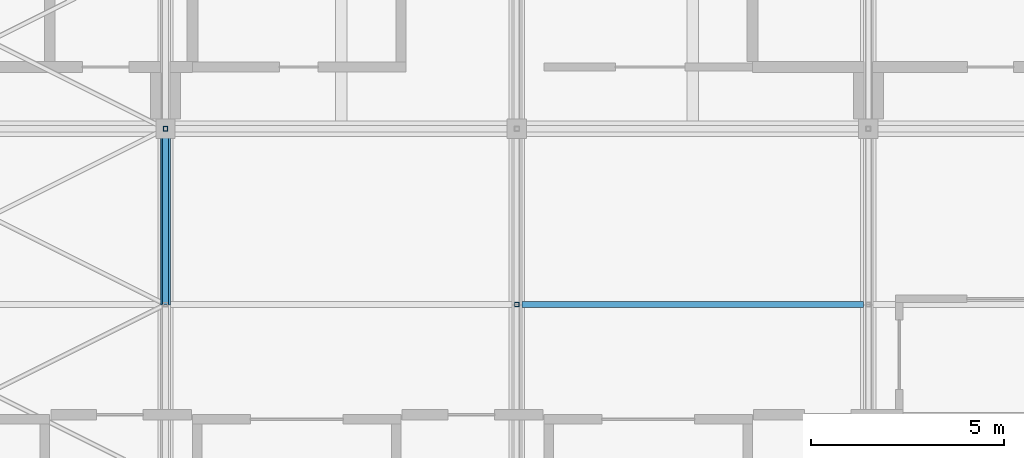
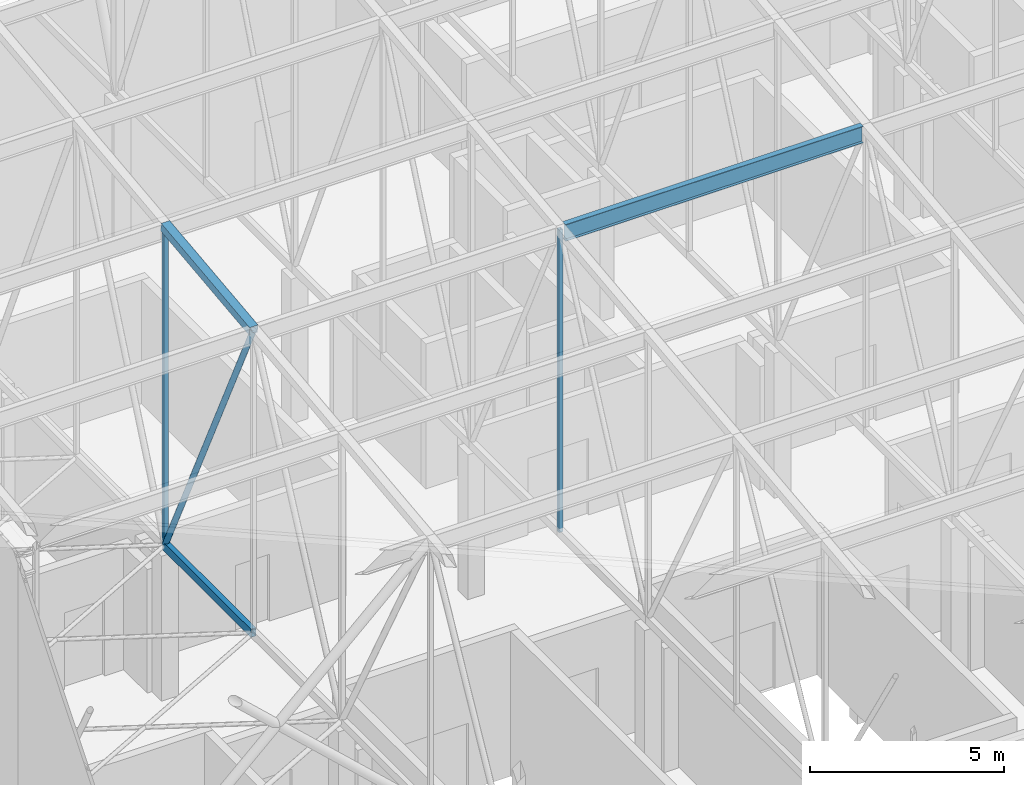
# One storey, part 21 of 500: 6 members.
"""IFC4 building model written with IfcOpenShell, lengths in metres."""

from ifc_helpers import new_model, si_unit, direction, frame, origin, origin_2d, place, context, subcontext, project, spatial, hollow_rectangle, hollow_circle, i_section, extrude, material, material_profile, profile_set, type_object, element, save


model = new_model("IFC4")

# Units and contexts
model_context = context("Model", 3, precision=1e-05, world=origin(), true_north=direction((0.0, 1.0)))
body_context = subcontext(model_context, "Body", "Model", "MODEL_VIEW")
ifc_project = project(units=[si_unit("LENGTHUNIT", "METRE"), si_unit("AREAUNIT", "SQUARE_METRE"), si_unit("VOLUMEUNIT", "CUBIC_METRE"), si_unit("PLANEANGLEUNIT", "RADIAN"), si_unit("MASSUNIT", "GRAM", prefix="KILO")], contexts=[model_context])

# Site, building, storey
site_placement = place(None, origin())
site = spatial("IfcSite", under=ifc_project, at=site_placement, CompositionType="ELEMENT")
building_placement = place(site_placement, origin())
building = spatial("IfcBuilding", under=site, at=building_placement, Name="Shirokan Park Arena", CompositionType="ELEMENT")
storey_placement = place(building_placement, frame((0.0, 0.0, 29.1201171875)))
storey = spatial("IfcBuildingStorey", under=building, at=storey_placement, Name="L06", CompositionType="ELEMENT", Elevation=29.1201171875)

# Members
ifc_material_1 = material(Name="Steel ASTM A500 Grade C", Category="steel")
ifc_material_profile_1 = material_profile(ifc_material_1, hollow_rectangle(XDim=0.152099609375, YDim=0.25390625, WallThickness=0.009521484375, at=origin_2d()), Name="HSS254X152.4X9.5")
ifc_profile_set_1 = profile_set([ifc_material_profile_1], Name="Steel ASTM A500 Grade C")
member_type_1 = type_object("IfcMemberType", Name="Bottom chord HSS254X152.4X9.5", PredefinedType="CHORD", material=ifc_profile_set_1)
member_1_placement = place(storey_placement, frame((9.10009765625, 13.64990234375, 4.677001953125), z_axis=(0.0, 1.0, 0.0), x_axis=(-1.0, 0.0, 0.0)))
element("IfcMember", 1, at=member_1_placement, inside=storey, type_object=member_type_1, Name="Truss T02 bottom chord 6", PredefinedType="CHORD", context=body_context, shape_type="SweptSolid", body=[
    extrude(hollow_rectangle(XDim=0.152099609375, YDim=0.25390625, WallThickness=0.009521484375, at=origin_2d()), origin(), (0.0, 0.0, 1.0), 4.550048828125),
])
ifc_material_2 = material(Name="Steel ASTM A992", Category="steel")
ifc_material_profile_2 = material_profile(ifc_material_2, i_section(OverallWidth=0.166015625, OverallDepth=0.528076171875, WebThickness=0.009765625, FlangeThickness=0.013671875, at=origin_2d()), Name="W530X74")
ifc_profile_set_2 = profile_set([ifc_material_profile_2], Name="Steel ASTM A992")
member_type_2 = type_object("IfcMemberType", Name="Purlin W530X74", PredefinedType="PURLIN", material=ifc_profile_set_2)
member_2_placement = place(storey_placement, frame((18.326904296875, 13.64990234375, 14.0458984375), z_axis=(1.0, 0.0, 0.0), x_axis=(0.0, 1.0, 0.0)))
element("IfcMember", 2, at=member_2_placement, inside=storey, type_object=member_type_2, Name="Purlin 6 bay 3", PredefinedType="PURLIN", context=body_context, shape_type="SweptSolid", body=[
    extrude(i_section(OverallWidth=0.166015625, OverallDepth=0.528076171875, WebThickness=0.009765625, FlangeThickness=0.013671875, at=origin_2d()), origin(), (0.0, 0.0, 1.0), 8.84619140625),
])
ifc_material_profile_3 = material_profile(ifc_material_1, hollow_rectangle(XDim=0.25390625, YDim=0.25390625, WallThickness=0.009521484375, at=origin_2d()), Name="HSS254X254X9.5")
ifc_profile_set_3 = profile_set([ifc_material_profile_3], Name="Steel ASTM A500 Grade C")
member_type_3 = type_object("IfcMemberType", Name="Top chord HSS254X254X9.5", PredefinedType="CHORD", material=ifc_profile_set_3)
member_3_placement = place(storey_placement, frame((9.10009765625, 13.64990234375, 14.182861328125), z_axis=(0.0, 0.993532328996, 0.113549598152), x_axis=(-1.0, 0.0, 0.0)))
element("IfcMember", 3, at=member_3_placement, inside=storey, type_object=member_type_3, Name="Truss T02 top chord 6", PredefinedType="CHORD", context=body_context, shape_type="SweptSolid", body=[
    extrude(hollow_rectangle(XDim=0.25390625, YDim=0.25390625, WallThickness=0.009521484375, at=origin_2d()), origin(), (0.0, 0.0, 1.0), 4.57958984375),
])
ifc_material_profile_4 = material_profile(ifc_material_1, hollow_circle(Radius=0.083984375, WallThickness=0.009521484375, at=origin_2d()), Name="HSS168.3X9.5")
ifc_profile_set_4 = profile_set([ifc_material_profile_4], Name="Steel ASTM A500 Grade C")
member_type_4 = type_object("IfcMemberType", Name="Truss diagonal HSS168.3X9.5", PredefinedType="BRACE", material=ifc_profile_set_4)
member_4_placement = place(storey_placement, frame((9.10009765625, 13.64990234375, 14.182861328125), z_axis=(0.0, 0.431746476626, -0.901994999942), x_axis=(-1.0, 0.0, 0.0)))
element("IfcMember", 4, at=member_4_placement, inside=storey, type_object=member_type_4, Name="Truss T02 diagonal 6", PredefinedType="BRACE", context=body_context, shape_type="SweptSolid", body=[
    extrude(hollow_circle(Radius=0.083984375, WallThickness=0.009521484375, at=origin_2d()), origin(), (0.0, 0.0, 1.0), 10.538818359375),
])
ifc_material_profile_5 = material_profile(ifc_material_1, hollow_rectangle(XDim=0.114013671875, YDim=0.114013671875, WallThickness=0.00634765625, at=origin_2d()), Name="HSS114.3X114.3X6.4")
ifc_profile_set_5 = profile_set([ifc_material_profile_5], Name="Steel ASTM A500 Grade C")
member_type_5 = type_object("IfcMemberType", Name="Truss post HSS114.3X114.3X6.4", PredefinedType="POST", material=ifc_profile_set_5)
member_5_placement = place(storey_placement, frame((18.199951171875, 13.64990234375, 4.677001953125), z_axis=(0.0, 0.0, 1.0), x_axis=(1.0, 0.0, 0.0)))
element("IfcMember", 5, at=member_5_placement, inside=storey, type_object=member_type_5, Name="Truss T03 post 6", PredefinedType="POST", context=body_context, shape_type="SweptSolid", body=[
    extrude(hollow_rectangle(XDim=0.114013671875, YDim=0.114013671875, WallThickness=0.00634765625, at=origin_2d()), origin(), (0.0, 0.0, 1.0), 9.505859375),
])
ifc_material_profile_6 = material_profile(ifc_material_1, hollow_rectangle(XDim=0.126953125, YDim=0.126953125, WallThickness=0.0126953125, at=origin_2d()), Name="HSS127X127X12.7")
ifc_profile_set_6 = profile_set([ifc_material_profile_6], Name="Steel ASTM A500 Grade C")
member_type_6 = type_object("IfcMemberType", Name="Truss post HSS127X127X12.7", PredefinedType="POST", material=ifc_profile_set_6)
member_6_placement = place(storey_placement, frame((9.10009765625, 18.199951171875, 4.677001953125), z_axis=(0.0, 0.0, 1.0), x_axis=(1.0, 0.0, 0.0)))
element("IfcMember", 6, at=member_6_placement, inside=storey, type_object=member_type_6, Name="Truss T02 post 7", PredefinedType="POST", context=body_context, shape_type="SweptSolid", body=[
    extrude(hollow_rectangle(XDim=0.126953125, YDim=0.126953125, WallThickness=0.0126953125, at=origin_2d()), origin(), (0.0, 0.0, 1.0), 10.02587890625),
])

save(model, "model.ifc")
